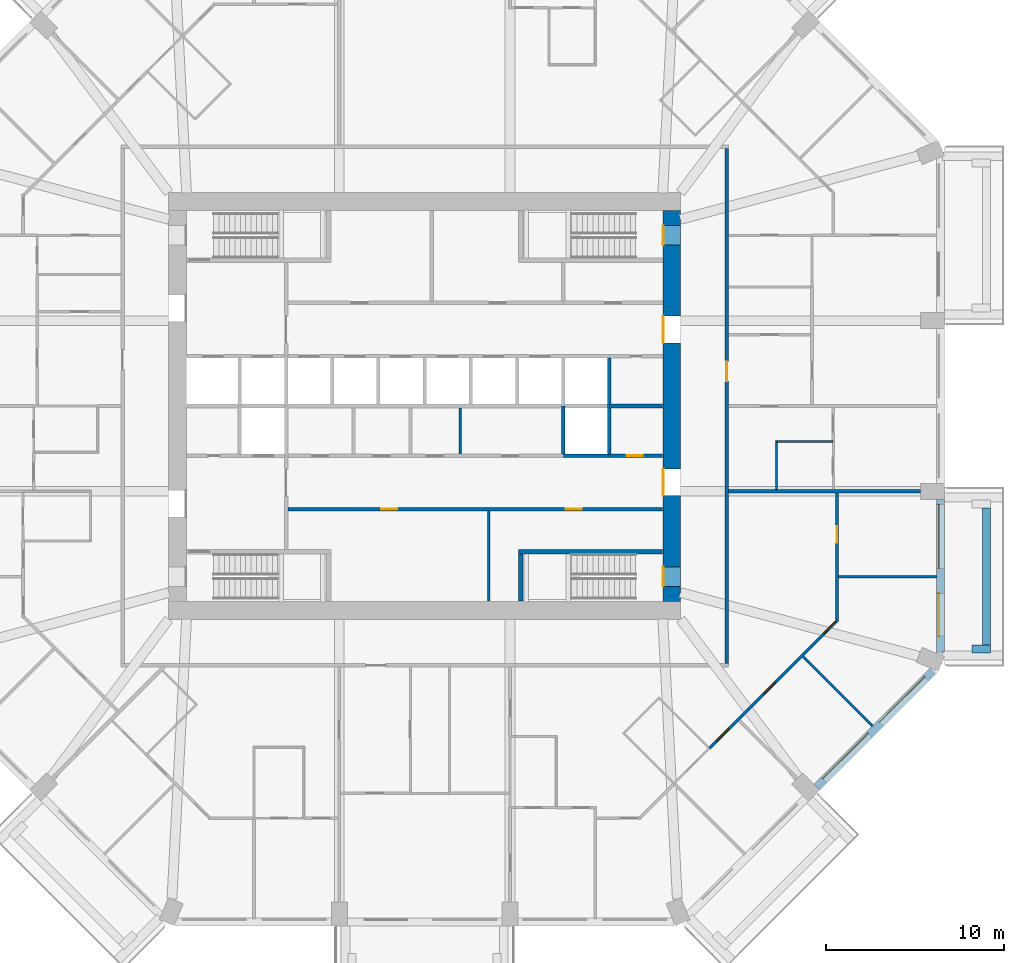
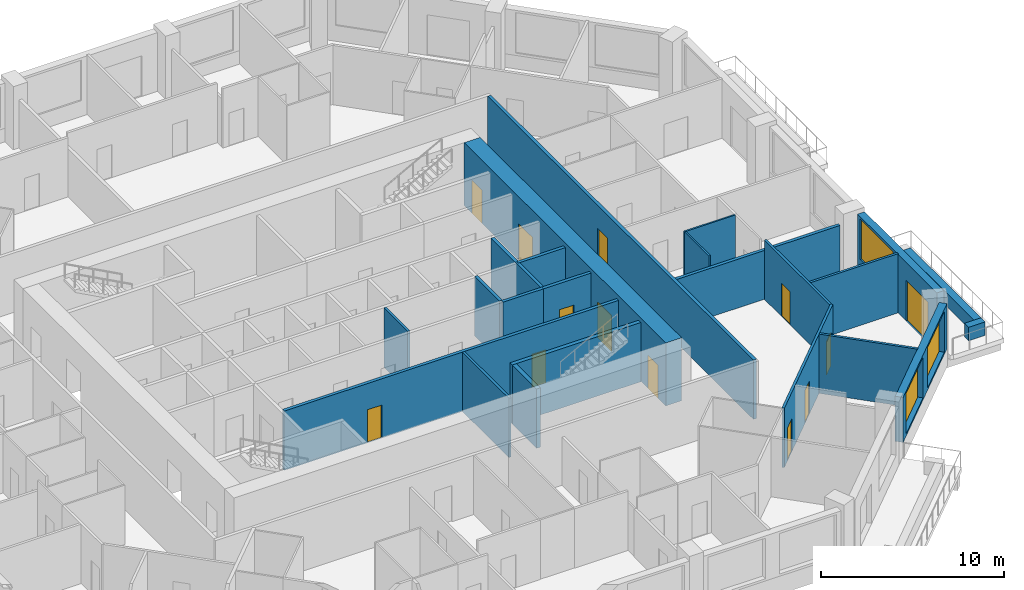
# One storey, part 6 of 13: 23 walls, 13 doors, 3 windows, 16 openings.
"""IFC4 building model written with IfcOpenShell, lengths in metres."""

from ifc_helpers import new_model, si_unit, direction, frame, frame_2d, origin, place, context, subcontext, project, spatial, rectangle, extrude, material, layer, layer_set, type_object, element, fill, save


model = new_model("IFC4")

# Units and contexts
model_context = context("Model", 3, precision=1e-05, world=origin(), true_north=direction((0.0, 1.0)))
body_context = subcontext(model_context, "Body", "Model", "MODEL_VIEW")
ifc_project = project(units=[si_unit("LENGTHUNIT", "METRE"), si_unit("AREAUNIT", "SQUARE_METRE"), si_unit("VOLUMEUNIT", "CUBIC_METRE"), si_unit("PLANEANGLEUNIT", "RADIAN"), si_unit("MASSUNIT", "GRAM", prefix="KILO")], contexts=[model_context])

# Site, building, storey
site_placement = place(None, origin())
site = spatial("IfcSite", under=ifc_project, at=site_placement, CompositionType="ELEMENT")
building_placement = place(site_placement, origin())
building = spatial("IfcBuilding", under=site, at=building_placement, Name="Msitu Wima Residences", CompositionType="ELEMENT")
storey_placement = place(building_placement, frame((0.0, 0.0, 67.5)))
storey = spatial("IfcBuildingStorey", under=building, at=storey_placement, Name="L15", CompositionType="ELEMENT", Elevation=67.5)

# Walls
ifc_material_1 = material(Name="Facing brick")
ifc_layer_1 = layer(ifc_material_1, 0.06494140625, Name="Facing brick")
ifc_material_2 = material(Name="Concrete C40/50", Category="concrete")
ifc_layer_2 = layer(ifc_material_2, 0.156005859375, Name="Concrete C40/50")
ifc_material_3 = material(Name="Waterproofing membrane")
ifc_layer_3 = layer(ifc_material_3, 0.00390625, Name="Waterproofing membrane")
ifc_material_4 = material(Name="Planting soil and planting")
ifc_layer_4 = layer(ifc_material_4, 0.22509765625, Name="Planting soil and planting")
ifc_layer_set_1 = layer_set([ifc_layer_1, ifc_layer_2, ifc_layer_3, ifc_layer_4], Name="Concrete C40/50")
wall_type_1 = type_object("IfcWallType", Name="Balcony planter PLANTER PL450", PredefinedType="USERDEFINED", material=ifc_layer_set_1)
wall_1_placement = place(storey_placement, frame((31.625, -13.449951171875, 0.0), z_axis=(0.0, 0.0, 1.0), x_axis=(0.0, 1.0, 0.0)))
element("IfcWall", 1, at=wall_1_placement, inside=storey, type_object=wall_type_1, Name="Balcony planter E0 L15", ObjectType="PLANTER", PredefinedType="USERDEFINED", context=body_context, shape_type="SweptSolid", body=[
    extrude(rectangle(XDim=7.699951171875, YDim=0.449951171875, at=frame_2d((3.85009765625, 0.0))), origin(), (0.0, 0.0, 1.0), 0.89990234375),
])
wall_2_placement = place(storey_placement, frame((30.800048828125, -13.675048828125, 0.0), z_axis=(0.0, 0.0, 1.0), x_axis=(1.0, 0.0, 0.0)))
element("IfcWall", 2, at=wall_2_placement, inside=storey, type_object=wall_type_1, Name="Balcony planter E0 L15", ObjectType="PLANTER", PredefinedType="USERDEFINED", context=body_context, shape_type="SweptSolid", body=[
    extrude(rectangle(XDim=1.050048828125, YDim=0.449951171875, at=frame_2d((0.52490234375, 0.0))), origin(), (0.0, 0.0, 1.0), 0.89990234375),
])

# Wall, openings, door, window
ifc_material_5 = material(Name="Brick (red buff mix)", Category="masonry")
ifc_layer_5 = layer(ifc_material_5, 0.449951171875)
ifc_layer_set_2 = layer_set([ifc_layer_5], Name="Brick (red buff mix)")
wall_type_2 = type_object("IfcWallType", Name="Brick infill wall BW450", PredefinedType="SOLIDWALL", material=ifc_layer_set_2)
wall_3_placement = place(storey_placement, frame((29.02490234375, -13.912841796875, 0.0), z_axis=(0.0, 0.0, 1.0), x_axis=(0.0, 1.0, 0.0)))
wall_3 = element("IfcWall", 3, at=wall_3_placement, inside=storey, type_object=wall_type_2, Name="Brick infill wall L15 E0", PredefinedType="SOLIDWALL", context=body_context, shape_type="SweptSolid", body=[
    extrude(rectangle(XDim=8.662841796875, YDim=0.449951171875, at=frame_2d((4.33154296875, 0.0))), origin(), (0.0, 0.0, 1.0), 3.89990234375),
])
opening_1_placement = place(wall_3_placement, frame((0.9658203125, 0.0, 0.0)))
opening_1 = element("IfcOpeningElement", 4, at=opening_1_placement, cuts=wall_3, Name="Opening D13-15.001", PredefinedType="OPENING", context=body_context, shape_type="SweptSolid", body=[
    extrude(rectangle(XDim=2.39990234375, YDim=2.699951171875, at=frame_2d((1.199951171875, 1.35009765625))), frame((0.0, 0.23486328125, 0.0), z_axis=(0.0, -1.0, 0.0), x_axis=(1.0, 0.0, 0.0)), (0.0, 0.0, 1.0), 0.469970703125),
])
opening_2_placement = place(wall_3_placement, frame((4.781494140625, 0.0, 1.050048828125)))
opening_2 = element("IfcOpeningElement", 5, at=opening_2_placement, cuts=wall_3, Name="Opening W13-15.001", PredefinedType="OPENING", context=body_context, shape_type="SweptSolid", body=[
    extrude(rectangle(XDim=3.60009765625, YDim=2.699951171875, at=frame_2d((1.800048828125, 1.35009765625))), frame((0.0, 0.23486328125, 0.0), z_axis=(0.0, -1.0, 0.0), x_axis=(1.0, 0.0, 0.0)), (0.0, 0.0, 1.0), 0.469970703125),
])
ifc_material_6 = material(Name="Anodised aluminium, bronze finish, clear low-emissivity double glazing", Category="aluminium")
door_type_1 = type_object("IfcDoorType", Name="Balcony door D2400x2700", OperationType="SLIDING_TO_LEFT", PredefinedType="DOOR", material=ifc_material_6)
door_1_placement = place(opening_1_placement, origin())
door_1 = element("IfcDoor", 6, at=door_1_placement, inside=storey, type_object=door_type_1, Name="Balcony door L15 E0", OperationType="SINGLE_SWING_LEFT", OverallHeight=2.699951171875, OverallWidth=2.39990234375, PredefinedType="DOOR", context=body_context, shape_type="SweptSolid", body=[
    extrude(rectangle(XDim=2.39990234375, YDim=2.699951171875, at=frame_2d((1.199951171875, 1.35009765625))), frame((0.0, 0.1298828125, 0.0), z_axis=(0.0, -1.0, 0.0), x_axis=(1.0, 0.0, 0.0)), (0.0, 0.0, 1.0), 0.050048828125),
])
fill(opening_1, door_1)
window_type = type_object("IfcWindowType", Name="Window W3600x2700", PartitioningType="DOUBLE_PANEL_VERTICAL", PredefinedType="WINDOW", material=ifc_material_6)
window_1_placement = place(opening_2_placement, origin())
window_1 = element("IfcWindow", 7, at=window_1_placement, inside=storey, type_object=window_type, Name="Window L15 E0.2", OverallHeight=2.699951171875, OverallWidth=3.60009765625, PartitioningType="SINGLE_PANEL", PredefinedType="WINDOW", context=body_context, shape_type="SweptSolid", body=[
    extrude(rectangle(XDim=3.60009765625, YDim=2.699951171875, at=frame_2d((1.800048828125, 1.35009765625))), frame((0.0, 0.135009765625, 0.0), z_axis=(0.0, -1.0, 0.0), x_axis=(1.0, 0.0, 0.0)), (0.0, 0.0, 1.0), 0.06005859375),
])
fill(opening_2, window_1)

# Wall, openings, windows
wall_4_placement = place(storey_placement, frame((22.077392578125, -21.44091796875, 0.89990234375), z_axis=(0.0, 0.0, 1.0), x_axis=(0.707106781187, 0.707106781187, 0.0)))
wall_4 = element("IfcWall", 8, at=wall_4_placement, inside=storey, type_object=wall_type_2, Name="Brick infill wall L15 SE1", PredefinedType="SOLIDWALL", context=body_context, shape_type="SweptSolid", body=[
    extrude(rectangle(XDim=9.2451171875, YDim=0.449951171875, at=frame_2d((4.62255859375, 0.0))), origin(), (0.0, 0.0, 1.0), 3.0),
])
opening_3_placement = place(wall_4_placement, frame((0.572509765625, 0.0, 0.14990234375)))
opening_3 = element("IfcOpeningElement", 9, at=opening_3_placement, cuts=wall_4, Name="Opening W13-15.022", PredefinedType="OPENING", context=body_context, shape_type="SweptSolid", body=[
    extrude(rectangle(XDim=3.60009765625, YDim=2.699951171875, at=frame_2d((1.800048828125, 1.35009765625))), frame((0.0, 0.23486328125, 0.0), z_axis=(0.0, -1.0, 0.0), x_axis=(1.0, 0.0, 0.0)), (0.0, 0.0, 1.0), 0.469970703125),
])
opening_4_placement = place(wall_4_placement, frame((5.072509765625, 0.0, 0.14990234375)))
opening_4 = element("IfcOpeningElement", 10, at=opening_4_placement, cuts=wall_4, Name="Opening W13-15.023", PredefinedType="OPENING", context=body_context, shape_type="SweptSolid", body=[
    extrude(rectangle(XDim=3.60009765625, YDim=2.699951171875, at=frame_2d((1.800048828125, 1.35009765625))), frame((0.0, 0.23486328125, 0.0), z_axis=(0.0, -1.0, 0.0), x_axis=(1.0, 0.0, 0.0)), (0.0, 0.0, 1.0), 0.469970703125),
])
window_2_placement = place(opening_3_placement, origin())
window_2 = element("IfcWindow", 11, at=window_2_placement, inside=storey, type_object=window_type, Name="Window L15 SE1.1", OverallHeight=2.699951171875, OverallWidth=3.60009765625, PartitioningType="SINGLE_PANEL", PredefinedType="WINDOW", context=body_context, shape_type="SweptSolid", body=[
    extrude(rectangle(XDim=3.60009765625, YDim=2.699951171875, at=frame_2d((1.800048828125, 1.35009765625))), frame((0.0, 0.135009765625, 0.0), z_axis=(0.0, -1.0, 0.0), x_axis=(1.0, 0.0, 0.0)), (0.0, 0.0, 1.0), 0.06005859375),
])
fill(opening_3, window_2)
window_3_placement = place(opening_4_placement, origin())
window_3 = element("IfcWindow", 12, at=window_3_placement, inside=storey, type_object=window_type, Name="Window L15 SE1.2", OverallHeight=2.699951171875, OverallWidth=3.60009765625, PartitioningType="SINGLE_PANEL", PredefinedType="WINDOW", context=body_context, shape_type="SweptSolid", body=[
    extrude(rectangle(XDim=3.60009765625, YDim=2.699951171875, at=frame_2d((1.800048828125, 1.35009765625))), frame((0.0, 0.135009765625, 0.0), z_axis=(0.0, -1.0, 0.0), x_axis=(1.0, 0.0, 0.0)), (0.0, 0.0, 1.0), 0.06005859375),
])
fill(opening_4, window_3)

# Wall, openings, doors
ifc_material_7 = material(Name="Concrete C80/95", Category="concrete")
ifc_layer_6 = layer(ifc_material_7, 1.0)
ifc_layer_set_3 = layer_set([ifc_layer_6], Name="Concrete C80/95")
wall_type_3 = type_object("IfcWallType", Name="Core wall CW1000 C80/95", PredefinedType="SHEAR", material=ifc_layer_set_3)
wall_5_placement = place(storey_placement, frame((13.89990234375, -11.0, 0.0), z_axis=(0.0, 0.0, 1.0), x_axis=(0.0, 1.0, 0.0)))
wall_5 = element("IfcWall", 13, at=wall_5_placement, inside=storey, type_object=wall_type_3, Name="Core wall", PredefinedType="SHEAR", context=body_context, shape_type="SweptSolid", body=[
    extrude(rectangle(XDim=22.0, YDim=1.0, at=frame_2d((11.0, 0.0))), origin(), (0.0, 0.0, 1.0), 4.199951171875),
])
opening_5_placement = place(wall_5_placement, frame((20.050048828125, 0.0, 0.0)))
opening_5 = element("IfcOpeningElement", 14, at=opening_5_placement, cuts=wall_5, Name="Opening D13-15.036", PredefinedType="OPENING", context=body_context, shape_type="SweptSolid", body=[
    extrude(rectangle(XDim=1.10009765625, YDim=2.199951171875, at=frame_2d((0.550048828125, 1.10009765625))), frame((0.0, 0.510009765625, 0.0), z_axis=(0.0, -1.0, 0.0), x_axis=(1.0, 0.0, 0.0)), (0.0, 0.0, 1.0), 1.02001953125),
])
opening_6_placement = place(wall_5_placement, frame((0.85009765625, 0.0, 0.0)))
opening_6 = element("IfcOpeningElement", 15, at=opening_6_placement, cuts=wall_5, Name="Opening D13-15.037", PredefinedType="OPENING", context=body_context, shape_type="SweptSolid", body=[
    extrude(rectangle(XDim=1.10009765625, YDim=2.199951171875, at=frame_2d((0.550048828125, 1.10009765625))), frame((0.0, 0.510009765625, 0.0), z_axis=(0.0, -1.0, 0.0), x_axis=(1.0, 0.0, 0.0)), (0.0, 0.0, 1.0), 1.02001953125),
])
opening_7_placement = place(wall_5_placement, frame((14.550048828125, 0.0, 0.0)))
opening_7 = element("IfcOpeningElement", 16, at=opening_7_placement, cuts=wall_5, Name="Opening D13-15.024", PredefinedType="OPENING", context=body_context, shape_type="SweptSolid", body=[
    extrude(rectangle(XDim=1.5, YDim=2.39990234375, at=frame_2d((0.75, 1.199951171875))), frame((0.0, 0.510009765625, 0.0), z_axis=(0.0, -1.0, 0.0), x_axis=(1.0, 0.0, 0.0)), (0.0, 0.0, 1.0), 1.02001953125),
])
opening_8_placement = place(wall_5_placement, frame((5.949951171875, 0.0, 0.0)))
opening_8 = element("IfcOpeningElement", 17, at=opening_8_placement, cuts=wall_5, Name="Opening D13-15.025", PredefinedType="OPENING", context=body_context, shape_type="SweptSolid", body=[
    extrude(rectangle(XDim=1.5, YDim=2.39990234375, at=frame_2d((0.75, 1.199951171875))), frame((0.0, 0.510009765625, 0.0), z_axis=(0.0, -1.0, 0.0), x_axis=(1.0, 0.0, 0.0)), (0.0, 0.0, 1.0), 1.02001953125),
])
ifc_material_8 = material(Name="Steel framed glazed door, fire resisting", Category="steel")
door_type_2 = type_object("IfcDoorType", Name="Lobby door D07 1500x2400", OperationType="DOUBLE_DOOR_SINGLE_SWING", PredefinedType="DOOR", material=ifc_material_8)
door_2_placement = place(opening_7_placement, origin())
door_2 = element("IfcDoor", 18, at=door_2_placement, inside=storey, type_object=door_type_2, Name="Lobby door", OperationType="DOUBLE_DOOR_SINGLE_SWING", OverallHeight=2.39990234375, OverallWidth=1.5, PredefinedType="DOOR", context=body_context, shape_type="SweptSolid", body=[
    extrude(rectangle(XDim=1.5, YDim=2.39990234375, at=frame_2d((0.75, 1.199951171875))), frame((0.0, 0.4951171875, 0.0), z_axis=(0.0, -1.0, 0.0), x_axis=(1.0, 0.0, 0.0)), (0.0, 0.0, 1.0), 0.050048828125),
])
fill(opening_7, door_2)
door_3_placement = place(opening_8_placement, origin())
door_3 = element("IfcDoor", 19, at=door_3_placement, inside=storey, type_object=door_type_2, Name="Lobby door", OperationType="DOUBLE_DOOR_SINGLE_SWING", OverallHeight=2.39990234375, OverallWidth=1.5, PredefinedType="DOOR", context=body_context, shape_type="SweptSolid", body=[
    extrude(rectangle(XDim=1.5, YDim=2.39990234375, at=frame_2d((0.75, 1.199951171875))), frame((0.0, 0.4951171875, 0.0), z_axis=(0.0, -1.0, 0.0), x_axis=(1.0, 0.0, 0.0)), (0.0, 0.0, 1.0), 0.050048828125),
])
fill(opening_8, door_3)
ifc_material_9 = material(Name="Steel door, fire resisting, panic bar", Category="steel")
door_type_3 = type_object("IfcDoorType", Name="Stair door D06 1100x2200", OperationType="SINGLE_SWING_LEFT", PredefinedType="DOOR", material=ifc_material_9)
door_4_placement = place(opening_5_placement, origin())
door_4 = element("IfcDoor", 20, at=door_4_placement, inside=storey, type_object=door_type_3, Name="Stair door", OperationType="SINGLE_SWING_LEFT", OverallHeight=2.199951171875, OverallWidth=1.10009765625, PredefinedType="DOOR", context=body_context, shape_type="SweptSolid", body=[
    extrude(rectangle(XDim=1.10009765625, YDim=2.199951171875, at=frame_2d((0.550048828125, 1.10009765625))), frame((0.0, 0.4951171875, 0.0), z_axis=(0.0, -1.0, 0.0), x_axis=(1.0, 0.0, 0.0)), (0.0, 0.0, 1.0), 0.050048828125),
])
fill(opening_5, door_4)
door_5_placement = place(opening_6_placement, origin())
door_5 = element("IfcDoor", 21, at=door_5_placement, inside=storey, type_object=door_type_3, Name="Stair door", OperationType="SINGLE_SWING_RIGHT", OverallHeight=2.199951171875, OverallWidth=1.10009765625, PredefinedType="DOOR", context=body_context, shape_type="SweptSolid", body=[
    extrude(rectangle(XDim=1.10009765625, YDim=2.199951171875, at=frame_2d((0.550048828125, 1.10009765625))), frame((0.0, 0.4951171875, 0.0), z_axis=(0.0, -1.0, 0.0), x_axis=(1.0, 0.0, 0.0)), (0.0, 0.0, 1.0), 0.050048828125),
])
fill(opening_6, door_5)

ifc_material_10 = material(Name="Plaster")
ifc_layer_7 = layer(ifc_material_10, 0.011962890625, Name="Plaster")
ifc_material_11 = material(Name="Concrete blockwork", Category="masonry")
ifc_layer_8 = layer(ifc_material_11, 0.176025390625, Name="Concrete blockwork")
ifc_layer_9 = layer(ifc_material_10, 0.011962890625, Name="Plaster")
ifc_layer_set_4 = layer_set([ifc_layer_7, ifc_layer_8, ifc_layer_9], Name="Concrete blockwork")
wall_type_4 = type_object("IfcWallType", Name="Corridor wall FW200", PredefinedType="PARTITIONING", material=ifc_layer_set_4)
wall_6_placement = place(storey_placement, frame((-7.699951171875, -5.800048828125, 0.0), z_axis=(0.0, 0.0, 1.0), x_axis=(1.0, 0.0, 0.0)))
wall_6 = element("IfcWall", 22, at=wall_6_placement, inside=storey, type_object=wall_type_4, Name="Corridor wall", PredefinedType="PARTITIONING", context=body_context, shape_type="SweptSolid", body=[
    extrude(rectangle(XDim=21.070068359375, YDim=0.199951171875, at=frame_2d((10.53515625, 0.0))), origin(), (0.0, 0.0, 1.0), 3.949951171875),
])
opening_9_placement = place(wall_6_placement, frame((5.25, 0.0, 0.0)))
opening_9 = element("IfcOpeningElement", 23, at=opening_9_placement, cuts=wall_6, Name="Opening D13-15.022", PredefinedType="OPENING", context=body_context, shape_type="SweptSolid", body=[
    extrude(rectangle(XDim=0.89990234375, YDim=2.199951171875, at=frame_2d((0.449951171875, 1.10009765625))), frame((0.0, 0.10986328125, 0.0), z_axis=(0.0, -1.0, 0.0), x_axis=(1.0, 0.0, 0.0)), (0.0, 0.0, 1.0), 0.219970703125),
])
opening_10_placement = place(wall_6_placement, frame((15.64990234375, 0.0, 0.0)))
opening_10 = element("IfcOpeningElement", 24, at=opening_10_placement, cuts=wall_6, Name="Opening D13-15.023", PredefinedType="OPENING", context=body_context, shape_type="SweptSolid", body=[
    extrude(rectangle(XDim=0.89990234375, YDim=2.199951171875, at=frame_2d((0.449951171875, 1.10009765625))), frame((0.0, 0.10986328125, 0.0), z_axis=(0.0, -1.0, 0.0), x_axis=(1.0, 0.0, 0.0)), (0.0, 0.0, 1.0), 0.219970703125),
])
ifc_material_12 = material(Name="Timber flush door", Category="wood")
door_type_4 = type_object("IfcDoorType", Name="Service door D05 900x2200", OperationType="SINGLE_SWING_LEFT", PredefinedType="DOOR", material=ifc_material_12)
door_6_placement = place(opening_9_placement, origin())
door_6 = element("IfcDoor", 25, at=door_6_placement, inside=storey, type_object=door_type_4, Name="Service door", OperationType="SINGLE_SWING_RIGHT", OverallHeight=2.199951171875, OverallWidth=0.89990234375, PredefinedType="DOOR", context=body_context, shape_type="SweptSolid", body=[
    extrude(rectangle(XDim=0.89990234375, YDim=2.199951171875, at=frame_2d((0.449951171875, 1.10009765625))), frame((0.0, 0.02490234375, 0.0), z_axis=(0.0, -1.0, 0.0), x_axis=(1.0, 0.0, 0.0)), (0.0, 0.0, 1.0), 0.050048828125),
])
fill(opening_9, door_6)
door_7_placement = place(opening_10_placement, origin())
door_7 = element("IfcDoor", 26, at=door_7_placement, inside=storey, type_object=door_type_4, Name="Service door", OperationType="SINGLE_SWING_LEFT", OverallHeight=2.199951171875, OverallWidth=0.89990234375, PredefinedType="DOOR", context=body_context, shape_type="SweptSolid", body=[
    extrude(rectangle(XDim=0.89990234375, YDim=2.199951171875, at=frame_2d((0.449951171875, 1.10009765625))), frame((0.0, 0.02490234375, 0.0), z_axis=(0.0, -1.0, 0.0), x_axis=(1.0, 0.0, 0.0)), (0.0, 0.0, 1.0), 0.050048828125),
])
fill(opening_10, door_7)

# Wall, opening, door
wall_7_placement = place(storey_placement, frame((17.0, -14.5, 0.0), z_axis=(0.0, 0.0, 1.0), x_axis=(0.0, 1.0, 0.0)))
wall_7 = element("IfcWall", 27, at=wall_7_placement, inside=storey, type_object=wall_type_4, Name="Corridor wall", PredefinedType="PARTITIONING", context=body_context, shape_type="SweptSolid", body=[
    extrude(rectangle(XDim=29.0, YDim=0.199951171875, at=frame_2d((14.5, 0.0))), origin(), (0.0, 0.0, 1.0), 3.949951171875),
])
opening_11_placement = place(wall_7_placement, frame((15.89990234375, 0.0, 0.0)))
opening_11 = element("IfcOpeningElement", 28, at=opening_11_placement, cuts=wall_7, Name="Opening D13-15.011", PredefinedType="OPENING", context=body_context, shape_type="SweptSolid", body=[
    extrude(rectangle(XDim=1.10009765625, YDim=2.39990234375, at=frame_2d((0.550048828125, 1.199951171875))), frame((0.0, 0.10986328125, 0.0), z_axis=(0.0, -1.0, 0.0), x_axis=(1.0, 0.0, 0.0)), (0.0, 0.0, 1.0), 0.219970703125),
])
ifc_material_13 = material(Name="Timber flush door, fire resisting, self-closing", Category="wood")
door_type_5 = type_object("IfcDoorType", Name="Flat entrance door D01 1100x2400", OperationType="SINGLE_SWING_LEFT", PredefinedType="DOOR", material=ifc_material_13)
door_8_placement = place(opening_11_placement, origin())
door_8 = element("IfcDoor", 29, at=door_8_placement, inside=storey, type_object=door_type_5, Name="Flat entrance door", OperationType="SINGLE_SWING_RIGHT", OverallHeight=2.39990234375, OverallWidth=1.10009765625, PredefinedType="DOOR", context=body_context, shape_type="SweptSolid", body=[
    extrude(rectangle(XDim=1.10009765625, YDim=2.39990234375, at=frame_2d((0.550048828125, 1.199951171875))), frame((0.0, 0.02490234375, 0.0), z_axis=(0.0, -1.0, 0.0), x_axis=(1.0, 0.0, 0.0)), (0.0, 0.0, 1.0), 0.050048828125),
])
fill(opening_11, door_8)

# Walls
ifc_layer_10 = layer(ifc_material_10, 0.011962890625, Name="Plaster")
ifc_layer_11 = layer(ifc_material_11, 0.1259765625, Name="Concrete blockwork")
ifc_layer_12 = layer(ifc_material_10, 0.011962890625, Name="Plaster")
ifc_layer_set_5 = layer_set([ifc_layer_10, ifc_layer_11, ifc_layer_12], Name="Concrete blockwork")
wall_type_5 = type_object("IfcWallType", Name="Partition PW150", PredefinedType="PARTITIONING", material=ifc_layer_set_5)
wall_8_placement = place(storey_placement, frame((2.0, -2.699951171875, 0.0), z_axis=(0.0, 0.0, 1.0), x_axis=(0.0, 1.0, 0.0)))
element("IfcWall", 30, at=wall_8_placement, inside=storey, type_object=wall_type_5, Name="Partition", PredefinedType="PARTITIONING", context=body_context, shape_type="SweptSolid", body=[
    extrude(rectangle(XDim=2.599853515625, YDim=0.14990234375, at=frame_2d((1.2998046875, 0.0))), origin(), (0.0, 0.0, 1.0), 3.949951171875),
])
wall_9_placement = place(storey_placement, frame((3.60009765625, -10.969970703125, 0.0), z_axis=(0.0, 0.0, 1.0), x_axis=(0.0, 1.0, 0.0)))
element("IfcWall", 31, at=wall_9_placement, inside=storey, type_object=wall_type_5, Name="Partition", PredefinedType="PARTITIONING", context=body_context, shape_type="SweptSolid", body=[
    extrude(rectangle(XDim=5.070068359375, YDim=0.14990234375, at=frame_2d((2.53515625, 0.0))), origin(), (0.0, 0.0, 1.0), 3.949951171875),
])

# Wall, openings, doors
wall_10_placement = place(storey_placement, frame((16.02001953125, -19.26025390625, 0.0), z_axis=(0.0, 0.0, 1.0), x_axis=(0.707106781187, 0.707106781187, 0.0)))
wall_10 = element("IfcWall", 32, at=wall_10_placement, inside=storey, type_object=wall_type_5, Name="Partition", PredefinedType="PARTITIONING", context=body_context, shape_type="SweptSolid", body=[
    extrude(rectangle(XDim=10.228759765625, YDim=0.14990234375, at=frame_2d((5.1142578125, 0.0))), origin(), (0.0, 0.0, 1.0), 3.949951171875),
])
opening_12_placement = place(wall_10_placement, frame((4.300048828125, 0.0, 0.0)))
opening_12 = element("IfcOpeningElement", 33, at=opening_12_placement, cuts=wall_10, Name="Opening D13-15.077", PredefinedType="OPENING", context=body_context, shape_type="SweptSolid", body=[
    extrude(rectangle(XDim=0.949951171875, YDim=2.199951171875, at=frame_2d((0.47509765625, 1.10009765625))), frame((0.0, 0.0849609375, 0.0), z_axis=(0.0, -1.0, 0.0), x_axis=(1.0, 0.0, 0.0)), (0.0, 0.0, 1.0), 0.169921875),
])
opening_13_placement = place(wall_10_placement, frame((0.60009765625, 0.0, 0.0)))
opening_13 = element("IfcOpeningElement", 34, at=opening_13_placement, cuts=wall_10, Name="Opening D13-15.078", PredefinedType="OPENING", context=body_context, shape_type="SweptSolid", body=[
    extrude(rectangle(XDim=0.949951171875, YDim=2.199951171875, at=frame_2d((0.47509765625, 1.10009765625))), frame((0.0, 0.0849609375, 0.0), z_axis=(0.0, -1.0, 0.0), x_axis=(1.0, 0.0, 0.0)), (0.0, 0.0, 1.0), 0.169921875),
])
opening_14_placement = place(wall_10_placement, frame((9.10009765625, 0.0, 0.0)))
opening_14 = element("IfcOpeningElement", 35, at=opening_14_placement, cuts=wall_10, Name="Opening D13-15.081", PredefinedType="OPENING", context=body_context, shape_type="SweptSolid", body=[
    extrude(rectangle(XDim=0.949951171875, YDim=2.199951171875, at=frame_2d((0.47509765625, 1.10009765625))), frame((0.0, 0.0849609375, 0.0), z_axis=(0.0, -1.0, 0.0), x_axis=(1.0, 0.0, 0.0)), (0.0, 0.0, 1.0), 0.169921875),
])
door_type_6 = type_object("IfcDoorType", Name="Room door D12 950x2200", OperationType="SINGLE_SWING_LEFT", PredefinedType="DOOR", material=ifc_material_12)
door_9_placement = place(opening_12_placement, origin())
door_9 = element("IfcDoor", 36, at=door_9_placement, inside=storey, type_object=door_type_6, Name="Room door", OperationType="SINGLE_SWING_RIGHT", OverallHeight=2.199951171875, OverallWidth=0.949951171875, PredefinedType="DOOR", context=body_context, shape_type="SweptSolid", body=[
    extrude(rectangle(XDim=0.949951171875, YDim=2.199951171875, at=frame_2d((0.47509765625, 1.10009765625))), frame((0.0, 0.02490234375, 0.0), z_axis=(0.0, -1.0, 0.0), x_axis=(1.0, 0.0, 0.0)), (0.0, 0.0, 1.0), 0.050048828125),
])
fill(opening_12, door_9)
door_10_placement = place(opening_13_placement, origin())
door_10 = element("IfcDoor", 37, at=door_10_placement, inside=storey, type_object=door_type_6, Name="Room door", OperationType="SINGLE_SWING_LEFT", OverallHeight=2.199951171875, OverallWidth=0.949951171875, PredefinedType="DOOR", context=body_context, shape_type="SweptSolid", body=[
    extrude(rectangle(XDim=0.949951171875, YDim=2.199951171875, at=frame_2d((0.47509765625, 1.10009765625))), frame((0.0, 0.02490234375, 0.0), z_axis=(0.0, -1.0, 0.0), x_axis=(1.0, 0.0, 0.0)), (0.0, 0.0, 1.0), 0.050048828125),
])
fill(opening_13, door_10)
door_11_placement = place(opening_14_placement, origin())
door_11 = element("IfcDoor", 38, at=door_11_placement, inside=storey, type_object=door_type_6, Name="Room door", OperationType="SINGLE_SWING_RIGHT", OverallHeight=2.199951171875, OverallWidth=0.949951171875, PredefinedType="DOOR", context=body_context, shape_type="SweptSolid", body=[
    extrude(rectangle(XDim=0.949951171875, YDim=2.199951171875, at=frame_2d((0.47509765625, 1.10009765625))), frame((0.0, 0.02490234375, 0.0), z_axis=(0.0, -1.0, 0.0), x_axis=(1.0, 0.0, 0.0)), (0.0, 0.0, 1.0), 0.050048828125),
])
fill(opening_14, door_11)

# Wall
wall_11_placement = place(storey_placement, frame((21.293212890625, -14.09326171875, 0.0), z_axis=(0.0, 0.0, 1.0), x_axis=(0.707128775519, -0.70708478617, 0.0)))
element("IfcWall", 39, at=wall_11_placement, inside=storey, type_object=wall_type_5, Name="Partition", PredefinedType="PARTITIONING", context=body_context, shape_type="SweptSolid", body=[
    extrude(rectangle(XDim=5.550048828125, YDim=0.14990234375, at=frame_2d((2.77490234375, 0.0))), origin(), (0.0, 0.0, 1.0), 3.949951171875),
])

# Wall, opening, door
wall_12_placement = place(storey_placement, frame((23.199951171875, -12.00537109375, 0.0), z_axis=(0.0, 0.0, 1.0), x_axis=(0.0, 1.0, 0.0)))
wall_12 = element("IfcWall", 40, at=wall_12_placement, inside=storey, type_object=wall_type_5, Name="Partition", PredefinedType="PARTITIONING", context=body_context, shape_type="SweptSolid", body=[
    extrude(rectangle(XDim=7.10546875, YDim=0.14990234375, at=frame_2d((3.552734375, 0.0))), origin(), (0.0, 0.0, 1.0), 3.949951171875),
])
opening_15_placement = place(wall_12_placement, frame((4.300048828125, 0.0, 0.0)))
opening_15 = element("IfcOpeningElement", 41, at=opening_15_placement, cuts=wall_12, Name="Opening D13-15.083", PredefinedType="OPENING", context=body_context, shape_type="SweptSolid", body=[
    extrude(rectangle(XDim=0.949951171875, YDim=2.199951171875, at=frame_2d((0.47509765625, 1.10009765625))), frame((0.0, 0.0849609375, 0.0), z_axis=(0.0, -1.0, 0.0), x_axis=(1.0, 0.0, 0.0)), (0.0, 0.0, 1.0), 0.169921875),
])
door_12_placement = place(opening_15_placement, origin())
door_12 = element("IfcDoor", 42, at=door_12_placement, inside=storey, type_object=door_type_6, Name="Room door", OperationType="SINGLE_SWING_RIGHT", OverallHeight=2.199951171875, OverallWidth=0.949951171875, PredefinedType="DOOR", context=body_context, shape_type="SweptSolid", body=[
    extrude(rectangle(XDim=0.949951171875, YDim=2.199951171875, at=frame_2d((0.47509765625, 1.10009765625))), frame((0.0, 0.02490234375, 0.0), z_axis=(0.0, -1.0, 0.0), x_axis=(1.0, 0.0, 0.0)), (0.0, 0.0, 1.0), 0.050048828125),
])
fill(opening_15, door_12)

# Walls
wall_13_placement = place(storey_placement, frame((23.27490234375, -9.60009765625, 0.0), z_axis=(0.0, 0.0, 1.0), x_axis=(1.0, 0.0, 0.0)))
element("IfcWall", 43, at=wall_13_placement, inside=storey, type_object=wall_type_5, Name="Partition", PredefinedType="PARTITIONING", context=body_context, shape_type="SweptSolid", body=[
    extrude(rectangle(XDim=5.550048828125, YDim=0.14990234375, at=frame_2d((2.77490234375, 0.0))), origin(), (0.0, 0.0, 1.0), 3.949951171875),
])
ifc_layer_13 = layer(ifc_material_10, 0.011962890625, Name="Plaster")
ifc_material_14 = material(Name="Dense concrete blockwork", Category="masonry")
ifc_layer_14 = layer(ifc_material_14, 0.176025390625, Name="Dense concrete blockwork")
ifc_layer_15 = layer(ifc_material_10, 0.011962890625, Name="Plaster")
ifc_layer_set_6 = layer_set([ifc_layer_13, ifc_layer_14, ifc_layer_15], Name="Dense concrete blockwork")
wall_type_6 = type_object("IfcWallType", Name="Party wall PW200", PredefinedType="PARTITIONING", material=ifc_layer_set_6)
wall_14_placement = place(storey_placement, frame((17.10009765625, -4.800048828125, 0.0), z_axis=(0.0, 0.0, 1.0), x_axis=(1.0, 0.0, 0.0)))
element("IfcWall", 44, at=wall_14_placement, inside=storey, type_object=wall_type_6, Name="Party wall", PredefinedType="PARTITIONING", context=body_context, shape_type="SweptSolid", body=[
    extrude(rectangle(XDim=10.7998046875, YDim=0.199951171875, at=frame_2d((5.39990234375, 0.0))), origin(), (0.0, 0.0, 1.0), 3.25),
])

# Wall, opening, door
ifc_layer_16 = layer(ifc_material_10, 0.011962890625, Name="Plaster")
ifc_material_15 = material(Name="Reinforced concrete blockwork", Category="masonry")
ifc_layer_17 = layer(ifc_material_15, 0.176025390625, Name="Reinforced concrete blockwork")
ifc_layer_18 = layer(ifc_material_10, 0.011962890625, Name="Plaster")
ifc_layer_set_7 = layer_set([ifc_layer_16, ifc_layer_17, ifc_layer_18], Name="Reinforced concrete blockwork")
wall_type_7 = type_object("IfcWallType", Name="Plant and riser wall PL200", PredefinedType="PARTITIONING", material=ifc_layer_set_7)
wall_15_placement = place(storey_placement, frame((10.3798828125, -2.800048828125, 0.0), z_axis=(0.0, 0.0, 1.0), x_axis=(1.0, 0.0, 0.0)))
wall_15 = element("IfcWall", 45, at=wall_15_placement, inside=storey, type_object=wall_type_7, Name="Plant and riser wall", PredefinedType="PARTITIONING", context=body_context, shape_type="SweptSolid", body=[
    extrude(rectangle(XDim=2.990234375, YDim=0.199951171875, at=frame_2d((1.4951171875, 0.0))), origin(), (0.0, 0.0, 1.0), 3.949951171875),
])
opening_16_placement = place(wall_15_placement, frame((1.0, 0.0, 0.0)))
opening_16 = element("IfcOpeningElement", 46, at=opening_16_placement, cuts=wall_15, Name="Opening D13-15.014", PredefinedType="OPENING", context=body_context, shape_type="SweptSolid", body=[
    extrude(rectangle(XDim=0.89990234375, YDim=2.199951171875, at=frame_2d((0.449951171875, 1.10009765625))), frame((0.0, 0.10986328125, 0.0), z_axis=(0.0, -1.0, 0.0), x_axis=(1.0, 0.0, 0.0)), (0.0, 0.0, 1.0), 0.219970703125),
])
door_13_placement = place(opening_16_placement, origin())
door_13 = element("IfcDoor", 47, at=door_13_placement, inside=storey, type_object=door_type_4, Name="Service door", OperationType="SINGLE_SWING_LEFT", OverallHeight=2.199951171875, OverallWidth=0.89990234375, PredefinedType="DOOR", context=body_context, shape_type="SweptSolid", body=[
    extrude(rectangle(XDim=0.89990234375, YDim=2.199951171875, at=frame_2d((0.449951171875, 1.10009765625))), frame((0.0, 0.02490234375, 0.0), z_axis=(0.0, -1.0, 0.0), x_axis=(1.0, 0.0, 0.0)), (0.0, 0.0, 1.0), 0.050048828125),
])
fill(opening_16, door_13)

# Walls
wall_16_placement = place(storey_placement, frame((10.39990234375, 0.0, 0.0), z_axis=(0.0, 0.0, 1.0), x_axis=(1.0, 0.0, 0.0)))
element("IfcWall", 48, at=wall_16_placement, inside=storey, type_object=wall_type_7, Name="Plant and riser wall", PredefinedType="PARTITIONING", context=body_context, shape_type="SweptSolid", body=[
    extrude(rectangle(XDim=2.97021484375, YDim=0.199951171875, at=frame_2d((1.485107421875, 0.0))), origin(), (0.0, 0.0, 1.0), 3.949951171875),
])
ifc_material_16 = material(Name="Fire-rated board")
ifc_layer_19 = layer(ifc_material_16, 0.02490234375, Name="Fire-rated board")
ifc_material_17 = material(Name="Light-gauge stud framing with mineral wool")
ifc_layer_20 = layer(ifc_material_17, 0.14990234375, Name="Light-gauge stud framing with mineral wool")
ifc_layer_21 = layer(ifc_material_16, 0.02490234375, Name="Fire-rated board")
ifc_layer_set_8 = layer_set([ifc_layer_19, ifc_layer_20, ifc_layer_21], Name="Light-gauge stud framing with mineral wool")
wall_type_8 = type_object("IfcWallType", Name="Shaft wall SH200", PredefinedType="PARTITIONING", material=ifc_layer_set_8)
wall_17_placement = place(storey_placement, frame((7.800048828125, -2.699951171875, 0.0), z_axis=(0.0, 0.0, 1.0), x_axis=(0.0, 1.0, 0.0)))
element("IfcWall", 49, at=wall_17_placement, inside=storey, type_object=wall_type_8, Name="Shaft wall", PredefinedType="PARTITIONING", context=body_context, shape_type="SweptSolid", body=[
    extrude(rectangle(XDim=2.699951171875, YDim=0.199951171875, at=frame_2d((1.35009765625, 0.0))), origin(), (0.0, 0.0, 1.0), 3.949951171875),
])
wall_18_placement = place(storey_placement, frame((7.820068359375, -2.800048828125, 0.0), z_axis=(0.0, 0.0, 1.0), x_axis=(1.0, 0.0, 0.0)))
element("IfcWall", 50, at=wall_18_placement, inside=storey, type_object=wall_type_8, Name="Shaft wall", PredefinedType="PARTITIONING", context=body_context, shape_type="SweptSolid", body=[
    extrude(rectangle(XDim=2.559814453125, YDim=0.199951171875, at=frame_2d((1.27978515625, 0.0))), origin(), (0.0, 0.0, 1.0), 3.949951171875),
])
wall_19_placement = place(storey_placement, frame((10.39990234375, -2.699951171875, 0.0), z_axis=(0.0, 0.0, 1.0), x_axis=(0.0, 1.0, 0.0)))
element("IfcWall", 51, at=wall_19_placement, inside=storey, type_object=wall_type_8, Name="Shaft wall", PredefinedType="PARTITIONING", context=body_context, shape_type="SweptSolid", body=[
    extrude(rectangle(XDim=5.39990234375, YDim=0.199951171875, at=frame_2d((2.699951171875, 0.0))), origin(), (0.0, 0.0, 1.0), 3.949951171875),
])
ifc_material_18 = material(Name="Concrete C50/60", Category="concrete")
ifc_layer_22 = layer(ifc_material_18, 0.25)
ifc_layer_set_9 = layer_set([ifc_layer_22], Name="Concrete C50/60")
wall_type_9 = type_object("IfcWallType", Name="Stair enclosure wall SW250", PredefinedType="SHEAR", material=ifc_layer_set_9)
wall_20_placement = place(storey_placement, frame((5.39990234375, -10.969970703125, 0.0), z_axis=(0.0, 0.0, 1.0), x_axis=(0.0, 1.0, 0.0)))
element("IfcWall", 52, at=wall_20_placement, inside=storey, type_object=wall_type_9, Name="Stair enclosure wall", PredefinedType="SHEAR", context=body_context, shape_type="SweptSolid", body=[
    extrude(rectangle(XDim=2.64501953125, YDim=0.25, at=frame_2d((1.322509765625, 0.0))), origin(), (0.0, 0.0, 1.0), 3.949951171875),
])
wall_21_placement = place(storey_placement, frame((5.27490234375, -8.199951171875, 0.0), z_axis=(0.0, 0.0, 1.0), x_axis=(1.0, 0.0, 0.0)))
element("IfcWall", 53, at=wall_21_placement, inside=storey, type_object=wall_type_9, Name="Stair enclosure wall", PredefinedType="SHEAR", context=body_context, shape_type="SweptSolid", body=[
    extrude(rectangle(XDim=8.09521484375, YDim=0.25, at=frame_2d((4.047607421875, 0.0))), origin(), (0.0, 0.0, 1.0), 3.949951171875),
])
ifc_material_19 = material(Name="Ceramic tiles")
ifc_layer_23 = layer(ifc_material_19, 0.008056640625, Name="Ceramic tiles")
ifc_material_20 = material(Name="Moisture-resistant board")
ifc_layer_24 = layer(ifc_material_20, 0.012451171875, Name="Moisture-resistant board")
ifc_layer_25 = layer(ifc_material_17, 0.06689453125, Name="Light-gauge stud framing with mineral wool")
ifc_layer_26 = layer(ifc_material_20, 0.012451171875, Name="Moisture-resistant board")
ifc_layer_set_10 = layer_set([ifc_layer_23, ifc_layer_24, ifc_layer_25, ifc_layer_26], Name="Light-gauge stud framing with mineral wool")
wall_type_10 = type_object("IfcWallType", Name="Wet wall PW100", PredefinedType="PARTITIONING", material=ifc_layer_set_10)
wall_22_placement = place(storey_placement, frame((19.800048828125, -4.699951171875, 0.0), z_axis=(0.0, 0.0, 1.0), x_axis=(0.0, 1.0, 0.0)))
element("IfcWall", 54, at=wall_22_placement, inside=storey, type_object=wall_type_10, Name="Wet wall", PredefinedType="PARTITIONING", context=body_context, shape_type="SweptSolid", body=[
    extrude(rectangle(XDim=2.64990234375, YDim=0.10009765625, at=frame_2d((1.324951171875, 0.0))), origin(), (0.0, 0.0, 1.0), 3.949951171875),
])
wall_23_placement = place(storey_placement, frame((19.75, -2.0, 0.0), z_axis=(0.0, 0.0, 1.0), x_axis=(1.0, 0.0, 0.0)))
element("IfcWall", 55, at=wall_23_placement, inside=storey, type_object=wall_type_10, Name="Wet wall", PredefinedType="PARTITIONING", context=body_context, shape_type="SweptSolid", body=[
    extrude(rectangle(XDim=3.199951171875, YDim=0.10009765625, at=frame_2d((1.60009765625, 0.0))), origin(), (0.0, 0.0, 1.0), 3.949951171875),
])

save(model, "model.ifc")
